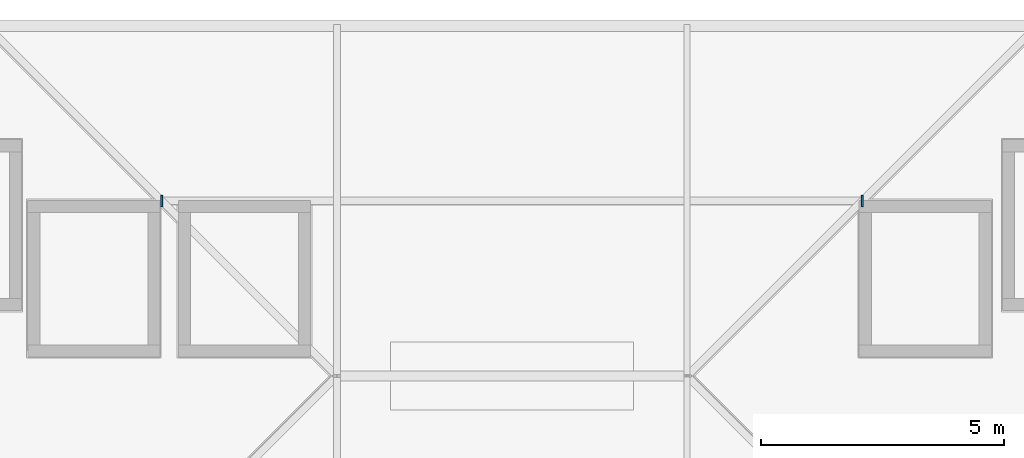
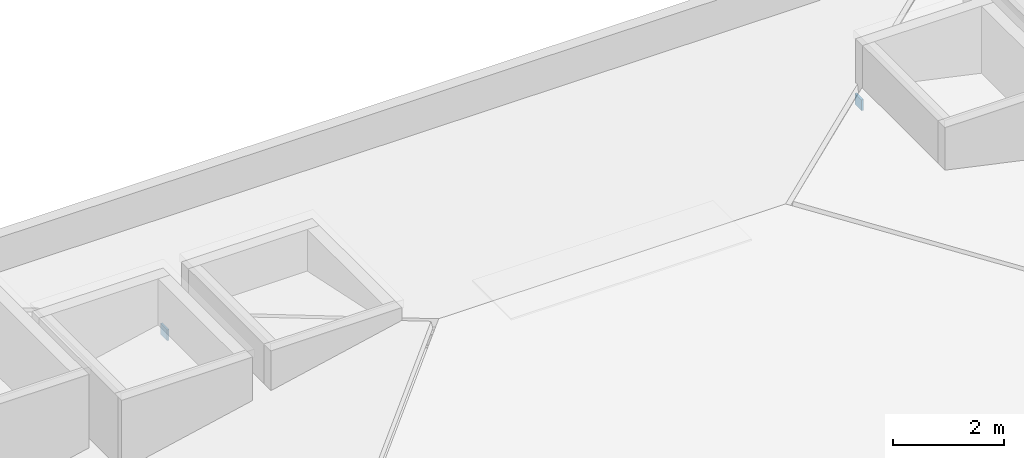
# One storey, part 2 of 3: 2 discrete accessories.
"""IFC4 building model written with IfcOpenShell, lengths in metres."""

from ifc_helpers import new_model, si_unit, direction, frame, origin, origin_2d, place, context, subcontext, project, spatial, rectangle, extrude, material, type_object, element, save


model = new_model("IFC4")

# Units and contexts
model_context = context("Model", 3, precision=1e-05, world=origin(), true_north=direction((0.0, 1.0)))
body_context = subcontext(model_context, "Body", "Model", "MODEL_VIEW")
ifc_project = project(units=[si_unit("LENGTHUNIT", "METRE"), si_unit("AREAUNIT", "SQUARE_METRE"), si_unit("VOLUMEUNIT", "CUBIC_METRE"), si_unit("PLANEANGLEUNIT", "RADIAN"), si_unit("MASSUNIT", "GRAM", prefix="KILO")], contexts=[model_context])

# Site, building, storey
site_placement = place(None, origin())
site = spatial("IfcSite", under=ifc_project, at=site_placement, CompositionType="ELEMENT")
building_placement = place(site_placement, origin())
building = spatial("IfcBuilding", under=site, at=building_placement, Name="Kazehaya Institute of Natural Sciences", CompositionType="ELEMENT")
storey_placement = place(building_placement, frame((0.0, 0.0, 46.260009765625)))
storey = spatial("IfcBuildingStorey", under=building, at=storey_placement, Name="Roof", CompositionType="ELEMENT", Elevation=46.260009765625)

# Discrete accessories
ifc_material = material(Name="Structural steel SN490B", Category="steel")
discrete_accessory_type = type_object("IfcDiscreteAccessoryType", Name="ACC-STL-CAP", PredefinedType="BRACKET", material=ifc_material)
for number, where, z_axis, x_axis, name in (
    (1, (79.7919921875, 24.800048828125, 0.375), (0.0, 0.0, 1.0), (1.0, 0.0, 0.0), "ROOF-VOL4-ATTIC hollow purlin welded end cap 10 W"),
    (2, (94.2080078125, 24.800048828125, 0.375), (0.0, 0.0, 1.0), (1.0, 0.0, 0.0), "ROOF-VOL4-ATTIC hollow purlin welded end cap 10 E"),
):
    element("IfcDiscreteAccessory", number, at=place(storey_placement, frame(where, z_axis=z_axis, x_axis=x_axis)), inside=storey, type_object=discrete_accessory_type, Name=name, PredefinedType="BRACKET", context=body_context, shape_type="SweptSolid", body=[
        extrude(rectangle(XDim=0.0400390625, YDim=0.239990234375, at=origin_2d()), origin(), (0.0, 0.0, 1.0), 0.239990234375),
    ])

save(model, "model.ifc")
